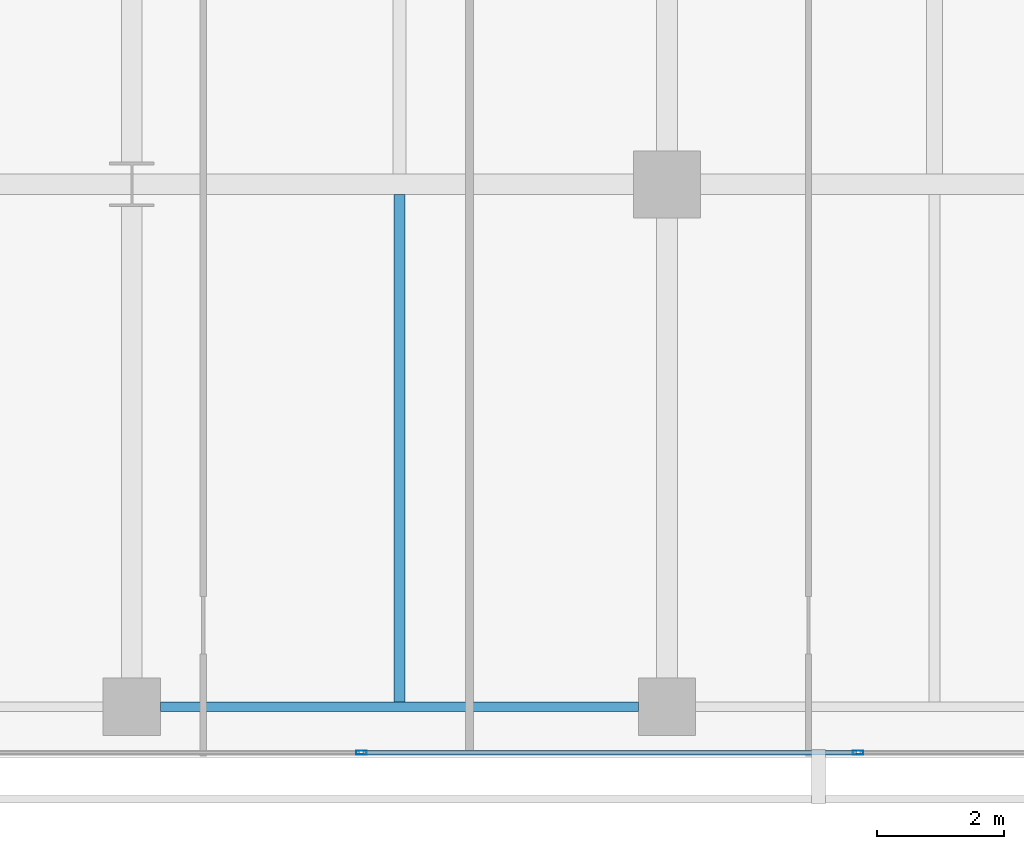
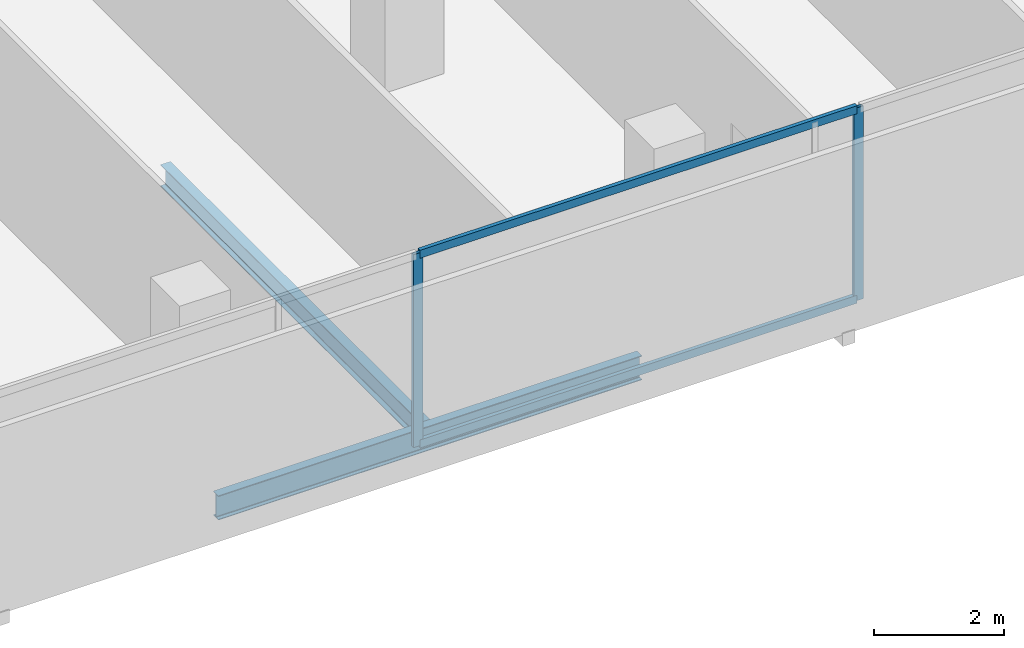
# One storey, part 14 of 40: 4 members, 2 beams, 1 element without a shape of its own.
"""IFC4 building model written with IfcOpenShell, lengths in metres."""

import ifcopenshell
import ifcopenshell.guid

model = None  # the IFC model being written
_history = None  # IfcOwnerHistory: only IFC2X3 demands one
_inside = {}  # id of a spatial element -> (the spatial element, [elements in it])
_under = {}  # id of a project, library or spatial element -> (it, [spatial elements below it])
_declared = {}  # id of a project -> (the project, [libraries it declares])
_typed = {}  # id of a type object -> (the type object, [elements of that type])
_made_of = {}  # id of a material, layer set ... -> (it, [elements and type objects made of it])


def new_model(schema):
    """Start an empty IFC model of exactly this schema.

    Asked for "IFC4X3", IfcOpenShell would pick the latest addendum, in which some entities
    have other attributes; the version numbers below select the first issue.
    IFC2X3 requires an IfcOwnerHistory on every rooted entity: one is made here for all.
    """
    global model, _history
    if schema == "IFC4X3":
        model = ifcopenshell.file(schema_version=(4, 3, 0, 0))
    else:
        model = ifcopenshell.file(schema=schema)
    _inside.clear()
    _under.clear()
    _declared.clear()
    _typed.clear()
    _made_of.clear()
    _history = None
    if model.schema == "IFC2X3":
        org = make("IfcOrganization", Name="unknown")
        user = make(
            "IfcPersonAndOrganization",
            ThePerson=make("IfcPerson", FamilyName="unknown"),
            TheOrganization=org,
        )
        app = make(
            "IfcApplication",
            ApplicationDeveloper=org,
            Version="unknown",
            ApplicationFullName="unknown",
            ApplicationIdentifier="unknown",
        )
        _history = make(
            "IfcOwnerHistory",
            OwningUser=user,
            OwningApplication=app,
            ChangeAction="ADDED",
            CreationDate=0,
        )
    return model


def make(cls, **values):
    """One entity of the class cls with the attributes given. An attribute that is None is left unset."""
    return model.create_entity(
        cls, **{name: value for name, value in values.items() if value is not None}
    )


def rooted(cls, **values):
    """An entity with a GlobalId (a new one), such as an element, a storey or a relation."""
    return make(cls, GlobalId=ifcopenshell.guid.new(), OwnerHistory=_history, **values)


def si_unit(unit_type, name, prefix=None):
    """IfcSIUnit, for example si_unit("LENGTHUNIT", "METRE", prefix="MILLI")."""
    return make("IfcSIUnit", UnitType=unit_type, Prefix=prefix, Name=name)


def assignment(units):
    """IfcUnitAssignment: the units of a project."""
    return None if units is None else make("IfcUnitAssignment", Units=units)


def point(xyz):
    """IfcCartesianPoint."""
    return None if xyz is None else make("IfcCartesianPoint", Coordinates=xyz)


def direction(xyz):
    """IfcDirection."""
    return None if xyz is None else make("IfcDirection", DirectionRatios=xyz)


def frame(location, z_axis=None, x_axis=None):
    """IfcAxis2Placement3D, a coordinate frame: its origin and axes. An axis left out is left unset."""
    return make(
        "IfcAxis2Placement3D",
        Location=point(location),
        Axis=direction(z_axis),
        RefDirection=direction(x_axis),
    )


def frame_2d(location, x_axis=None):
    """IfcAxis2Placement2D, a coordinate frame in the plane: its origin and x axis."""
    return make(
        "IfcAxis2Placement2D", Location=point(location), RefDirection=direction(x_axis)
    )


def origin():
    """The frame at (0, 0, 0) with its axes left unset."""
    return frame((0.0, 0.0, 0.0))


def origin_2d():
    """The frame at (0, 0) in the plane with its x axis left unset."""
    return frame_2d((0.0, 0.0))


def place(relative_to, where):
    """IfcLocalPlacement: puts the frame where relative to a parent placement (None: the world)."""
    return make(
        "IfcLocalPlacement", PlacementRelTo=relative_to, RelativePlacement=where
    )


def context(
    kind, dimensions, precision=None, world=None, true_north=None, identifier=None
):
    """IfcGeometricRepresentationContext, for example the 3D "Model" context."""
    return make(
        "IfcGeometricRepresentationContext",
        ContextIdentifier=identifier,
        ContextType=kind,
        CoordinateSpaceDimension=dimensions,
        Precision=precision,
        WorldCoordinateSystem=world,
        TrueNorth=true_north,
    )


def subcontext(parent, identifier, kind, view, scale=None):
    """IfcGeometricRepresentationSubContext, for example "Body" below "Model"."""
    return make(
        "IfcGeometricRepresentationSubContext",
        ContextIdentifier=identifier,
        ContextType=kind,
        ParentContext=parent,
        TargetScale=scale,
        TargetView=view,
    )


def project(units=None, contexts=None):
    """IfcProject with its units and contexts."""
    return rooted(
        "IfcProject",
        Name="project",
        RepresentationContexts=contexts,
        UnitsInContext=assignment(units),
    )


def spatial(cls, under=None, at=None, **own):
    """A site, building, storey or space (cls), placed at a placement, below another one or the project."""
    s = rooted(cls, ObjectPlacement=at, **own)
    if under is not None:
        _under.setdefault(under.id(), (under, []))[1].append(s)
    return s


def profile(cls, at=None, kind="AREA", **sizes):
    """A parametric profile (cls). Its sizes go by their IFC names, for example OverallWidth=200.0."""
    return make(cls, ProfileType=kind, Position=at, **sizes)


def hollow_rectangle(**sizes):
    """IfcRectangleHollowProfileDef."""
    return profile("IfcRectangleHollowProfileDef", **sizes)


def i_section(**sizes):
    """IfcIShapeProfileDef."""
    return profile("IfcIShapeProfileDef", **sizes)


def extrude(swept, where, along, depth):
    """IfcExtrudedAreaSolid: the profile swept, set in the frame where, extruded along a direction by depth."""
    return make(
        "IfcExtrudedAreaSolid",
        SweptArea=swept,
        Position=where,
        ExtrudedDirection=direction(along),
        Depth=depth,
    )


def shape(context_of_items, identifier, shape_type, items):
    """IfcShapeRepresentation: the items that make up one representation, for example the "Body"."""
    return make(
        "IfcShapeRepresentation",
        ContextOfItems=context_of_items,
        RepresentationIdentifier=identifier,
        RepresentationType=shape_type,
        Items=items,
    )


def material(Name=None, Category=None):
    """IfcMaterial."""
    return make("IfcMaterial", Name=Name, Category=Category)


def layer(
    of_material, thickness, ventilated=None, Name=None, Category=None, Priority=None
):
    """IfcMaterialLayer: one layer of a wall or slab, of a material (None: an air gap)."""
    return make(
        "IfcMaterialLayer",
        Material=of_material,
        LayerThickness=thickness,
        IsVentilated=ventilated,
        Name=Name,
        Category=Category,
        Priority=Priority,
    )


def layer_set(layers, Name=None):
    """IfcMaterialLayerSet."""
    return make("IfcMaterialLayerSet", MaterialLayers=layers, LayerSetName=Name)


def material_profile(
    of_material, cross_section, Name=None, Category=None, Priority=None
):
    """IfcMaterialProfile: a cross section and its material."""
    return make(
        "IfcMaterialProfile",
        Name=Name,
        Material=of_material,
        Profile=cross_section,
        Priority=Priority,
        Category=Category,
    )


def profile_set(profiles, Name=None, composite=None):
    """IfcMaterialProfileSet."""
    return make(
        "IfcMaterialProfileSet",
        Name=Name,
        MaterialProfiles=profiles,
        CompositeProfile=composite,
    )


def made_of(thing, what):
    """Note that an element or type object is made of a material, layer set ...; save() writes the relation."""
    if what is not None:
        _made_of.setdefault(what.id(), (what, []))[1].append(thing)
    return thing


def type_object(cls, material=None, **own):
    """A type object (cls), such as IfcWallType, which elements share."""
    return made_of(rooted(cls, **own), material)


def element(
    cls,
    number,
    at=None,
    inside=None,
    cuts=None,
    type_object=None,
    material=None,
    context=None,
    identifier="Body",
    shape_type=None,
    held_by="IfcProductDefinitionShape",
    body=None,
    shapes=None,
    **own,
):
    """One element of the class cls, such as IfcWall. Its Tag is "e" and its number.

    at: its placement. inside: the storey or other place that contains it. cuts: it is an
    opening in that element (IfcRelVoidsElement). A single representation is given by context,
    identifier, shape_type and body (its items); several are given by shapes. held_by: the class
    of the entity that holds the representations. save() writes the other relations.
    """
    e = rooted(cls, Tag="e%d" % number, ObjectPlacement=at, **own)
    if body is not None:
        shapes = [shape(context, identifier, shape_type, body)]
    if shapes is not None:
        e.Representation = make(held_by, Representations=shapes)
    if inside is not None:
        _inside.setdefault(inside.id(), (inside, []))[1].append(e)
    if cuts is not None:
        rooted(
            "IfcRelVoidsElement", RelatingBuildingElement=cuts, RelatedOpeningElement=e
        )
    if type_object is not None:
        _typed.setdefault(type_object.id(), (type_object, []))[1].append(e)
    return made_of(e, material)


def aggregate(whole, parts):
    """IfcRelAggregates: a whole, such as a stair, and the parts it consists of."""
    return rooted("IfcRelAggregates", RelatingObject=whole, RelatedObjects=parts)


def save(model, path):
    """Write the relations noted so far, then the file.

    IfcRelAggregates (storeys below a building ...), IfcRelContainedInSpatialStructure (elements
    in a storey), IfcRelDefinesByType, IfcRelAssociatesMaterial and IfcRelDeclares: one each for
    every whole, place, type object, material and project.
    """
    for whole, parts in _under.values():
        aggregate(whole, parts)
    for where, things in _inside.values():
        rooted(
            "IfcRelContainedInSpatialStructure",
            RelatedElements=things,
            RelatingStructure=where,
        )
    for kind, things in _typed.values():
        rooted("IfcRelDefinesByType", RelatedObjects=things, RelatingType=kind)
    for what, things in _made_of.values():
        rooted("IfcRelAssociatesMaterial", RelatedObjects=things, RelatingMaterial=what)
    for by, libraries in _declared.values():
        rooted("IfcRelDeclares", RelatingContext=by, RelatedDefinitions=libraries)
    model.write(path)


model = new_model("IFC4")

# Units and contexts
model_context = context("Model", 3, precision=1e-05, world=origin(), true_north=direction((0.0, 1.0)))
body_context = subcontext(model_context, "Body", "Model", "MODEL_VIEW")
ifc_project = project(units=[si_unit("LENGTHUNIT", "METRE"), si_unit("AREAUNIT", "SQUARE_METRE"), si_unit("VOLUMEUNIT", "CUBIC_METRE"), si_unit("PLANEANGLEUNIT", "RADIAN"), si_unit("MASSUNIT", "GRAM", prefix="KILO")], contexts=[model_context])

# Site, building, storey
site_placement = place(None, origin())
site = spatial("IfcSite", under=ifc_project, at=site_placement, CompositionType="ELEMENT")
building_placement = place(site_placement, origin())
building = spatial("IfcBuilding", under=site, at=building_placement, Name="Maruvema Waterfront Hotel and Observation Tower", CompositionType="ELEMENT")
storey_placement = place(building_placement, frame((0.0, 0.0, 107.800048828125)))
storey = spatial("IfcBuildingStorey", under=building, at=storey_placement, Name="L26", CompositionType="ELEMENT", Elevation=107.800048828125)

# Curtain wall, members
ifc_material_1 = material(Name="Anodised bronze aluminium and solar-control low-E IGU", Category="aluminium")
ifc_layer = layer(ifc_material_1, 0.159912109375, Name="Zone 1 Bronze Inner Thermal Curtain Wall System CW-02")
ifc_layer_set = layer_set([ifc_layer], Name="Anodised bronze aluminium and solar-control low-E IGU")
curtain_wall_type = type_object("IfcCurtainWallType", Name="Zone 1 Bronze Inner Thermal Curtain Wall System CW-02", PredefinedType="USERDEFINED", material=ifc_layer_set)
curtain_wall_placement = place(storey_placement, origin())
curtain_wall = element("IfcCurtainWall", 1, at=curtain_wall_placement, inside=storey, type_object=curtain_wall_type, Name="L26 Curtain Wall CW-L26-S", ObjectType="UNITISED CURTAIN WALL", PredefinedType="USERDEFINED")
ifc_material_2 = material(Name="Anodised architectural bronze aluminium", Category="aluminium")
ifc_material_profile_1 = material_profile(ifc_material_2, hollow_rectangle(XDim=0.070068359375, YDim=0.14990234375, WallThickness=0.00390625, at=origin_2d()), Name="ALU-T70x150")
ifc_profile_set_1 = profile_set([ifc_material_profile_1], Name="Anodised architectural bronze aluminium")
member_type_1 = type_object("IfcMemberType", Name="Curtain Wall Horizontal Transom ALU-T70x150", PredefinedType="USERDEFINED", material=ifc_profile_set_1)
member_1_placement = place(storey_placement, frame((45.6298828125, 0.080078125, 0.030029296875), z_axis=(1.0, 0.0, 0.0), x_axis=(0.0, 1.0, 0.0)))
member_1 = element("IfcMember", 2, at=member_1_placement, type_object=member_type_1, Name="CW-02 transom 5.1", ObjectType="TRANSOM", PredefinedType="USERDEFINED", context=body_context, shape_type="SweptSolid", body=[
    extrude(hollow_rectangle(XDim=0.070068359375, YDim=0.14990234375, WallThickness=0.00390625, at=origin_2d()), origin(), (0.0, 0.0, 1.0), 7.740234375),
])
member_2_placement = place(storey_placement, frame((45.6298828125, 0.080078125, 3.579833984375), z_axis=(1.0, 0.0, 0.0), x_axis=(0.0, 1.0, 0.0)))
member_2 = element("IfcMember", 3, at=member_2_placement, type_object=member_type_1, Name="CW-02 transom 5.2", ObjectType="TRANSOM", PredefinedType="USERDEFINED", context=body_context, shape_type="SweptSolid", body=[
    extrude(hollow_rectangle(XDim=0.070068359375, YDim=0.14990234375, WallThickness=0.00390625, at=origin_2d()), origin(), (0.0, 0.0, 1.0), 7.740234375),
])
ifc_material_3 = material(Name="Anodised architectural bronze aluminium", Category="aluminium")
ifc_material_profile_2 = material_profile(ifc_material_3, hollow_rectangle(XDim=0.06494140625, YDim=0.1650390625, WallThickness=0.00390625, at=origin_2d()), Name="ALU-M65x165")
ifc_profile_set_2 = profile_set([ifc_material_profile_2], Name="Anodised architectural bronze aluminium")
member_type_2 = type_object("IfcMemberType", Name="Curtain Wall Primary Mullion ALU-M65x165", PredefinedType="MULLION", material=ifc_profile_set_2)
member_3_placement = place(storey_placement, frame((45.60009765625, 0.080078125, 0.0), z_axis=(0.0, 0.0, 1.0), x_axis=(0.0, 1.0, 0.0)))
member_3 = element("IfcMember", 4, at=member_3_placement, type_object=member_type_2, Name="CW-02 mullion 5", PredefinedType="MULLION", context=body_context, shape_type="SweptSolid", body=[
    extrude(hollow_rectangle(XDim=0.06494140625, YDim=0.1650390625, WallThickness=0.00390625, at=origin_2d()), origin(), (0.0, 0.0, 1.0), 3.60986328125),
])
member_4_placement = place(storey_placement, frame((53.39990234375, 0.080078125, 0.0), z_axis=(0.0, 0.0, 1.0), x_axis=(0.0, 1.0, 0.0)))
member_4 = element("IfcMember", 5, at=member_4_placement, type_object=member_type_2, Name="CW-02 mullion 6", PredefinedType="MULLION", context=body_context, shape_type="SweptSolid", body=[
    extrude(hollow_rectangle(XDim=0.06494140625, YDim=0.1650390625, WallThickness=0.00390625, at=origin_2d()), origin(), (0.0, 0.0, 1.0), 3.60986328125),
])
aggregate(curtain_wall, [member_3, member_4, member_1, member_2])

# Beams
ifc_material_4 = material(Name="Steel ASTM A572 Grade 50", Category="steel")
ifc_material_profile_3 = material_profile(ifc_material_4, i_section(OverallWidth=0.153076171875, OverallDepth=0.455078125, WebThickness=0.008056640625, FlangeThickness=0.01318359375, FilletRadius=0.014892578125, at=origin_2d()), Name="W460x60.0")
ifc_profile_set_3 = profile_set([ifc_material_profile_3], Name="Steel ASTM A572 Grade 50")
beam_type_1 = type_object("IfcBeamType", Name="Perimeter Spandrel Beam W460x60.0", PredefinedType="SPANDREL", material=ifc_profile_set_3)
beam_1_placement = place(storey_placement, frame((42.449951171875, 0.800048828125, -0.467529296875), z_axis=(1.0, 0.0, 0.0), x_axis=(0.0, 1.0, 0.0)))
element("IfcBeam", 6, at=beam_1_placement, inside=storey, type_object=beam_type_1, Name="L26 Floor Girder EW-04", PredefinedType="SPANDREL", context=body_context, shape_type="SweptSolid", body=[
    extrude(i_section(OverallWidth=0.153076171875, OverallDepth=0.455078125, WebThickness=0.008056640625, FlangeThickness=0.01318359375, FilletRadius=0.014892578125, at=origin_2d()), origin(), (0.0, 0.0, 1.0), 7.5),
])
ifc_material_5 = material(Name="Steel ASTM A572 Grade 50", Category="steel")
ifc_material_profile_4 = material_profile(ifc_material_5, i_section(OverallWidth=0.177001953125, OverallDepth=0.403076171875, WebThickness=0.007568359375, FlangeThickness=0.010986328125, FilletRadius=0.014892578125, at=origin_2d()), Name="W410x53.0")
ifc_profile_set_4 = profile_set([ifc_material_profile_4], Name="Steel ASTM A572 Grade 50")
beam_type_2 = type_object("IfcBeamType", Name="Secondary Floor Joist W410x53.0", PredefinedType="JOIST", material=ifc_profile_set_4)
beam_2_placement = place(storey_placement, frame((46.199951171875, 0.87646484375, -0.441650390625), z_axis=(0.0, 1.0, 0.0), x_axis=(-1.0, 0.0, 0.0)))
element("IfcBeam", 7, at=beam_2_placement, inside=storey, type_object=beam_type_2, Name="L26 Secondary Floor Joist JS-14", PredefinedType="JOIST", context=body_context, shape_type="SweptSolid", body=[
    extrude(i_section(OverallWidth=0.177001953125, OverallDepth=0.403076171875, WebThickness=0.007568359375, FlangeThickness=0.010986328125, FilletRadius=0.014892578125, at=origin_2d()), origin(), (0.0, 0.0, 1.0), 7.96142578125),
])

save(model, "model.ifc")
